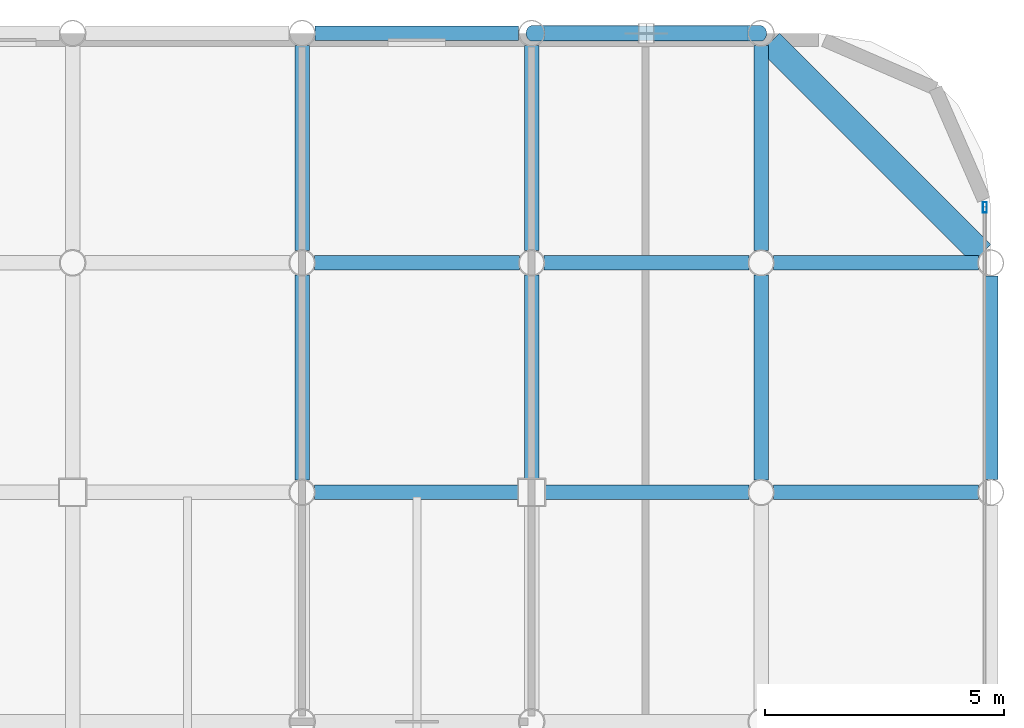
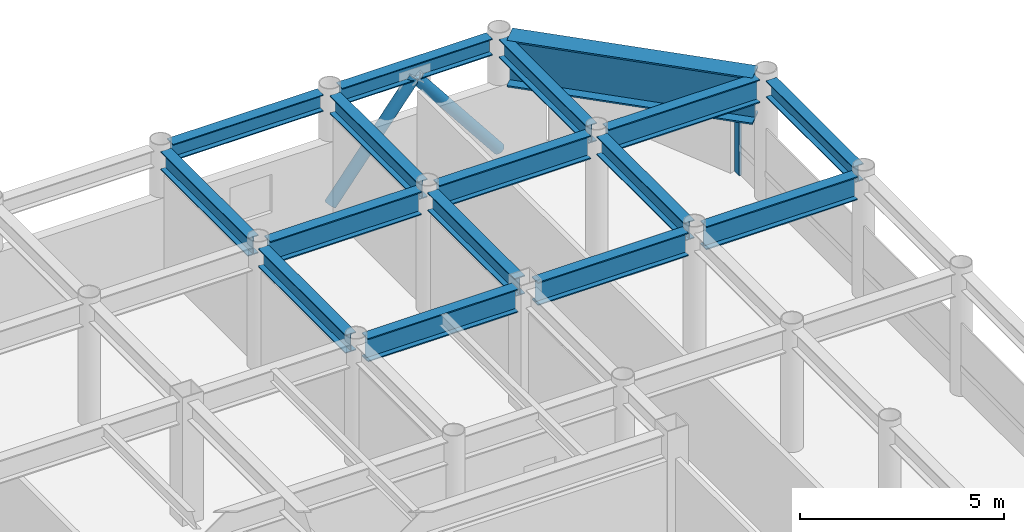
# One storey, part 16 of 22: 16 beams, 3 members, 1 element without a shape of its own.
"""IFC4 building model written with IfcOpenShell, lengths in metres."""

from ifc_helpers import new_model, si_unit, direction, frame, origin, origin_2d, place, context, subcontext, project, spatial, hollow_rectangle, hollow_circle, i_section, extrude, material, layer, layer_set, material_profile, profile_set, type_object, element, aggregate, save


model = new_model("IFC4")

# Units and contexts
model_context = context("Model", 3, precision=1e-05, world=origin(), true_north=direction((0.0, 1.0)))
body_context = subcontext(model_context, "Body", "Model", "MODEL_VIEW")
ifc_project = project(units=[si_unit("LENGTHUNIT", "METRE"), si_unit("AREAUNIT", "SQUARE_METRE"), si_unit("VOLUMEUNIT", "CUBIC_METRE"), si_unit("PLANEANGLEUNIT", "RADIAN"), si_unit("MASSUNIT", "GRAM", prefix="KILO")], contexts=[model_context])

# Site, building, storey
site_placement = place(None, origin())
site = spatial("IfcSite", under=ifc_project, at=site_placement, CompositionType="ELEMENT")
building_placement = place(site_placement, origin())
building = spatial("IfcBuilding", under=site, at=building_placement, Name="Kallvorn Hotel Tower", CompositionType="ELEMENT")
storey_placement = place(building_placement, frame((0.0, 0.0, 226.14990234375)))
storey = spatial("IfcBuildingStorey", under=building, at=storey_placement, Name="L56", CompositionType="ELEMENT", Elevation=226.14990234375)

# Beams
ifc_material_1 = material(Name="Structural steel S355JR", Category="steel")
ifc_material_profile_1 = material_profile(ifc_material_1, i_section(OverallWidth=0.300048828125, OverallDepth=0.5, WebThickness=0.014404296875, FlangeThickness=0.028076171875, at=origin_2d()), Name="HE 500 B")
ifc_profile_set_1 = profile_set([ifc_material_profile_1], Name="Structural steel S355JR")
beam_type_1 = type_object("IfcBeamType", Name="BM_HE500B", PredefinedType="SPANDREL", material=ifc_profile_set_1)
for number, where, z_axis, x_axis, name in (
    (1, (19.469482421875, 24.0, 3.420166015625), (1.0, 0.0, 0.0), (0.0, 1.0, 0.0), "L57 Perimeter Spandrel 172"),
    (2, (24.26953125, 24.0, 3.420166015625), (1.0, 0.0, 0.0), (0.0, 1.0, 0.0), "L57 Perimeter Spandrel 173"),
    (3, (33.60009765625, 14.66943359375, 3.420166015625), (0.0, 1.0, 0.0), (-1.0, 0.0, 0.0), "L57 Perimeter Spandrel 188"),
):
    element("IfcBeam", number, at=place(storey_placement, frame(where, z_axis=z_axis, x_axis=x_axis)), inside=storey, type_object=beam_type_1, Name=name, PredefinedType="SPANDREL", context=body_context, shape_type="SweptSolid", body=[
        extrude(i_section(OverallWidth=0.300048828125, OverallDepth=0.5, WebThickness=0.014404296875, FlangeThickness=0.028076171875, at=origin_2d()), origin(), (0.0, 0.0, 1.0), 4.260986328125),
    ])
ifc_material_2 = material(Name="Structural steel S355JR", Category="steel")
ifc_material_profile_2 = material_profile(ifc_material_2, i_section(OverallWidth=0.300048828125, OverallDepth=0.550048828125, WebThickness=0.014892578125, FlangeThickness=0.029052734375, at=origin_2d()), Name="HE 550 B")
ifc_profile_set_2 = profile_set([ifc_material_profile_2], Name="Structural steel S355JR")
beam_type_2 = type_object("IfcBeamType", Name="BM_HE550B", PredefinedType="SPANDREL", material=ifc_profile_set_2)
for number, where, z_axis, x_axis, name in (
    (4, (19.199951171875, 14.654541015625, 3.39501953125), (0.0, 1.0, 0.0), (-1.0, 0.0, 0.0), "L57 Primary Y-Girder 133"),
    (5, (19.199951171875, 19.45458984375, 3.39501953125), (0.0, 1.0, 0.0), (-1.0, 0.0, 0.0), "L57 Primary Y-Girder 134"),
):
    element("IfcBeam", number, at=place(storey_placement, frame(where, z_axis=z_axis, x_axis=x_axis)), inside=storey, type_object=beam_type_2, Name=name, PredefinedType="SPANDREL", context=body_context, shape_type="SweptSolid", body=[
        extrude(i_section(OverallWidth=0.300048828125, OverallDepth=0.550048828125, WebThickness=0.014892578125, FlangeThickness=0.029052734375, at=origin_2d()), origin(), (0.0, 0.0, 1.0), 4.291015625),
    ])
beam_1_placement = place(storey_placement, frame((24.0, 14.675048828125, 3.39501953125), z_axis=(0.0, 1.0, 0.0), x_axis=(-1.0, 0.0, 0.0)))
element("IfcBeam", 6, at=beam_1_placement, inside=storey, type_object=beam_type_2, Name="L57 Primary Y-Girder 140", PredefinedType="SPANDREL", context=body_context, shape_type="SweptSolid", body=[
    extrude(i_section(OverallWidth=0.300048828125, OverallDepth=0.550048828125, WebThickness=0.014892578125, FlangeThickness=0.029052734375, at=origin_2d()), origin(), (0.0, 0.0, 1.0), 4.2705078125),
])
for number, where, z_axis, x_axis, name in (
    (7, (24.0, 19.45458984375, 3.39501953125), (0.0, 1.0, 0.0), (-1.0, 0.0, 0.0), "L57 Primary Y-Girder 141"),
    (8, (28.800048828125, 14.654541015625, 3.39501953125), (0.0, 1.0, 0.0), (-1.0, 0.0, 0.0), "L57 Primary Y-Girder 149"),
    (9, (28.800048828125, 19.45458984375, 3.39501953125), (0.0, 1.0, 0.0), (-1.0, 0.0, 0.0), "L57 Primary Y-Girder 150"),
):
    element("IfcBeam", number, at=place(storey_placement, frame(where, z_axis=z_axis, x_axis=x_axis)), inside=storey, type_object=beam_type_2, Name=name, PredefinedType="SPANDREL", context=body_context, shape_type="SweptSolid", body=[
        extrude(i_section(OverallWidth=0.300048828125, OverallDepth=0.550048828125, WebThickness=0.014892578125, FlangeThickness=0.029052734375, at=origin_2d()), origin(), (0.0, 0.0, 1.0), 4.291015625),
    ])
ifc_material_3 = material(Name="Structural steel S355JR", Category="steel")
ifc_material_profile_3 = material_profile(ifc_material_3, i_section(OverallWidth=0.300048828125, OverallDepth=0.699951171875, WebThickness=0.01708984375, FlangeThickness=0.031982421875, at=origin_2d()), Name="HE 700 B")
ifc_profile_set_3 = profile_set([ifc_material_profile_3], Name="Structural steel S355JR")
beam_type_3 = type_object("IfcBeamType", Name="BM_HE700B", PredefinedType="BEAM", material=ifc_profile_set_3)
for number, where, z_axis, x_axis, name in (
    (10, (19.45458984375, 14.39990234375, 3.320068359375), (1.0, 0.0, 0.0), (0.0, 1.0, 0.0), "L57 Primary X-Girder 57"),
    (11, (24.27490234375, 14.39990234375, 3.320068359375), (1.0, 0.0, 0.0), (0.0, 1.0, 0.0), "L57 Primary X-Girder 58"),
):
    element("IfcBeam", number, at=place(storey_placement, frame(where, z_axis=z_axis, x_axis=x_axis)), inside=storey, type_object=beam_type_3, Name=name, PredefinedType="BEAM", context=body_context, shape_type="SweptSolid", body=[
        extrude(i_section(OverallWidth=0.300048828125, OverallDepth=0.699951171875, WebThickness=0.01708984375, FlangeThickness=0.031982421875, at=origin_2d()), origin(), (0.0, 0.0, 1.0), 4.2705078125),
    ])
for number, where, z_axis, x_axis, name in (
    (12, (29.054443359375, 14.39990234375, 3.320068359375), (1.0, 0.0, 0.0), (0.0, 1.0, 0.0), "L57 Primary X-Girder 59"),
    (13, (19.45458984375, 19.199951171875, 3.320068359375), (1.0, 0.0, 0.0), (0.0, 1.0, 0.0), "L57 Primary X-Girder 70"),
    (14, (24.25439453125, 19.199951171875, 3.320068359375), (1.0, 0.0, 0.0), (0.0, 1.0, 0.0), "L57 Primary X-Girder 71"),
    (15, (29.054443359375, 19.199951171875, 3.320068359375), (1.0, 0.0, 0.0), (0.0, 1.0, 0.0), "L57 Primary X-Girder 72"),
):
    element("IfcBeam", number, at=place(storey_placement, frame(where, z_axis=z_axis, x_axis=x_axis)), inside=storey, type_object=beam_type_3, Name=name, PredefinedType="BEAM", context=body_context, shape_type="SweptSolid", body=[
        extrude(i_section(OverallWidth=0.300048828125, OverallDepth=0.699951171875, WebThickness=0.01708984375, FlangeThickness=0.031982421875, at=origin_2d()), origin(), (0.0, 0.0, 1.0), 4.291015625),
    ])
ifc_material_4 = material(Name="Structural steel S355JR", Category="steel")
ifc_material_profile_4 = material_profile(ifc_material_4, i_section(OverallWidth=0.550048828125, OverallDepth=1.39990234375, WebThickness=0.02490234375, FlangeThickness=0.044921875, at=origin_2d()), Name="PG 1400x550x25x45")
ifc_profile_set_4 = profile_set([ifc_material_profile_4], Name="Structural steel S355JR")
beam_type_4 = type_object("IfcBeamType", Name="BM_PG_1400", PredefinedType="BEAM", material=ifc_profile_set_4)
beam_2_placement = place(storey_placement, frame((33.409423828125, 19.390625, 2.97021484375), z_axis=(-0.707126314793, 0.707087247041, 0.0), x_axis=(-0.707087247041, -0.707126314793, 0.0)))
element("IfcBeam", 16, at=beam_2_placement, inside=storey, type_object=beam_type_4, Name="L57 Rounded Corner Tie Beam 191", PredefinedType="BEAM", context=body_context, shape_type="SweptSolid", body=[
    extrude(i_section(OverallWidth=0.550048828125, OverallDepth=1.39990234375, WebThickness=0.02490234375, FlangeThickness=0.044921875, at=origin_2d()), origin(), (0.0, 0.0, 1.0), 6.249267578125),
])

# Curtain wall, member
ifc_material_5 = material(Name="Thermally broken black-anodised aluminium AA 6063-T6", Category="aluminium")
ifc_layer = layer(ifc_material_5, 0.22998046875)
ifc_layer_set = layer_set([ifc_layer], Name="CW_SYS_5_HOTEL_HIGH")
curtain_wall_type = type_object("IfcCurtainWallType", Name="CW_SYS_5_HOTEL_HIGH", PredefinedType="USERDEFINED", material=ifc_layer_set)
curtain_wall_placement = place(storey_placement, origin())
curtain_wall = element("IfcCurtainWall", 17, at=curtain_wall_placement, inside=storey, type_object=curtain_wall_type, Name="L56 Dark-Glass Curtain Wall CW-L56-EN", ObjectType="UNITISED CURTAIN WALL", PredefinedType="USERDEFINED")
ifc_material_6 = material(Name="Thermally broken black-anodised aluminium AA 6063-T6", Category="aluminium")
ifc_material_profile_5 = material_profile(ifc_material_6, hollow_rectangle(XDim=0.080078125, YDim=0.219970703125, WallThickness=0.0048828125, at=origin_2d()), Name="MUL 220x80")
ifc_profile_set_5 = profile_set([ifc_material_profile_5], Name="Thermally broken black-anodised aluminium AA 6063-T6")
member_type_1 = type_object("IfcMemberType", Name="CW_MULLION_220x80", PredefinedType="MULLION", material=ifc_profile_set_5)
member_placement = place(storey_placement, frame((33.47998046875, 20.360107421875, 0.02001953125), z_axis=(0.0, 0.0, 1.0), x_axis=(1.0, 0.0, 0.0)))
member = element("IfcMember", 18, at=member_placement, type_object=member_type_1, Name="CW-L56-EN Mullion 01", PredefinedType="MULLION", context=body_context, shape_type="SweptSolid", body=[
    extrude(hollow_rectangle(XDim=0.080078125, YDim=0.219970703125, WallThickness=0.0048828125, at=origin_2d()), origin(), (0.0, 0.0, 1.0), 2.22998046875),
])
aggregate(curtain_wall, [member])

# Members
ifc_material_7 = material(Name="Structural steel S355J2H", Category="steel")
ifc_material_profile_6 = material_profile(ifc_material_7, hollow_circle(Radius=0.161865234375, WallThickness=0.012451171875, at=origin_2d()), Name="CHS 323.9x12.5")
ifc_profile_set_6 = profile_set([ifc_material_profile_6], Name="Structural steel S355J2H")
member_type_2 = type_object("IfcMemberType", Name="MBR_EXO_CHS323", PredefinedType="BRACE", material=ifc_profile_set_6)
for number, where, z_axis, x_axis, name in (
    (19, (24.012451171875, 24.0, 0.19580078125), (0.620928510901, 0.0, 0.783867198159), (0.0, 1.0, 0.0), "L56 Exoskeleton K-Brace N2A"),
    (20, (28.78759765625, 24.0, 0.19580078125), (-0.620928510901, 0.0, 0.783867198159), (0.0, -1.0, 0.0), "L56 Exoskeleton K-Brace N2B"),
):
    element("IfcMember", number, at=place(storey_placement, frame(where, z_axis=z_axis, x_axis=x_axis)), inside=storey, type_object=member_type_2, Name=name, PredefinedType="BRACE", context=body_context, shape_type="SweptSolid", body=[
        extrude(hollow_circle(Radius=0.161865234375, WallThickness=0.012451171875, at=origin_2d()), origin(), (0.0, 0.0, 1.0), 3.8251953125),
    ])

save(model, "model.ifc")
